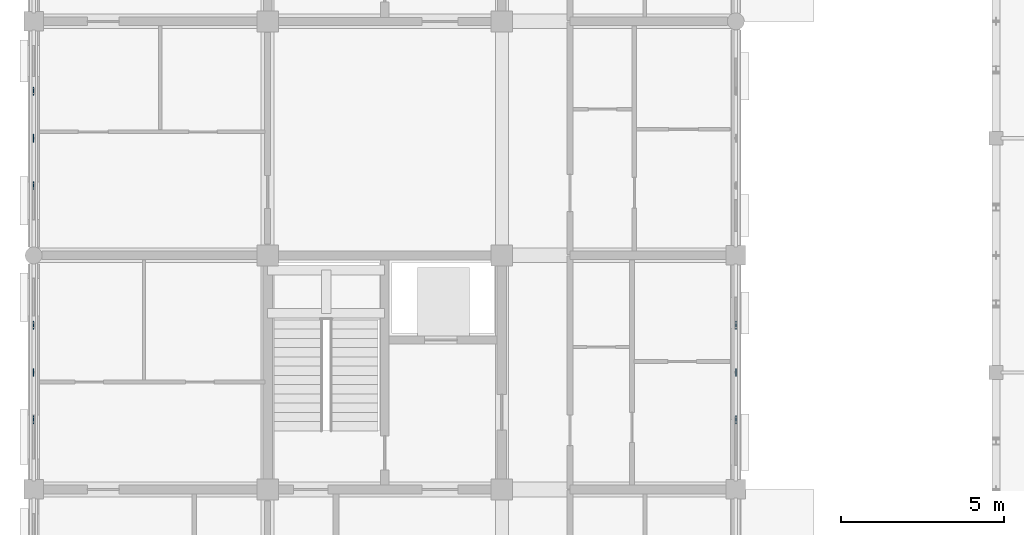
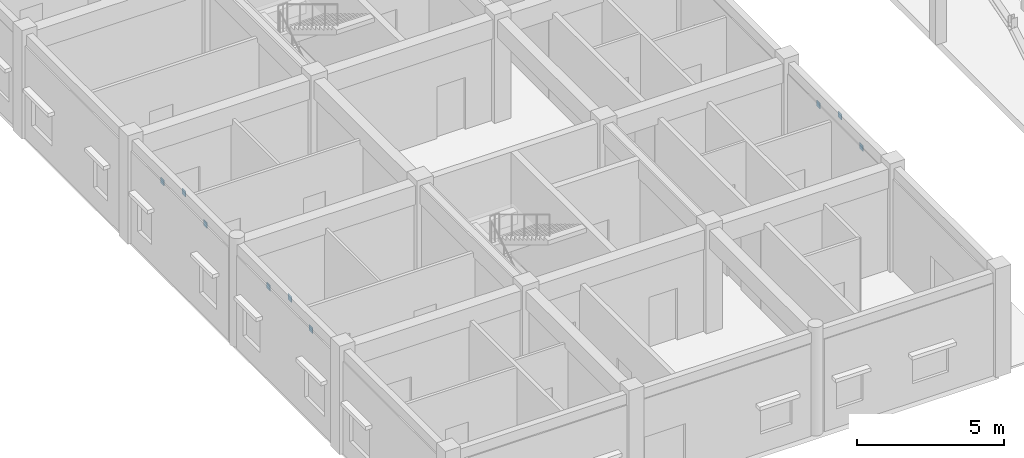
# One storey, part 76 of 138: 9 plates.
"""IFC4 building model written with IfcOpenShell, lengths in metres."""

from ifc_helpers import new_model, si_unit, direction, frame, origin, origin_2d, place, context, subcontext, project, spatial, rectangle, extrude, material, layer, layer_set, type_object, element, save


model = new_model("IFC4")

# Units and contexts
model_context = context("Model", 3, precision=1e-05, world=origin(), true_north=direction((0.0, 1.0)))
body_context = subcontext(model_context, "Body", "Model", "MODEL_VIEW")
ifc_project = project(units=[si_unit("LENGTHUNIT", "METRE"), si_unit("AREAUNIT", "SQUARE_METRE"), si_unit("VOLUMEUNIT", "CUBIC_METRE"), si_unit("PLANEANGLEUNIT", "RADIAN"), si_unit("MASSUNIT", "GRAM", prefix="KILO"), si_unit("THERMODYNAMICTEMPERATUREUNIT", "KELVIN"), si_unit("POWERUNIT", "WATT")], contexts=[model_context])

# Site, building, storey
site_placement = place(None, origin())
site = spatial("IfcSite", under=ifc_project, at=site_placement, CompositionType="ELEMENT")
building_placement = place(site_placement, origin())
building = spatial("IfcBuilding", under=site, at=building_placement, Name="Tavuni Mirador Residences", CompositionType="ELEMENT")
storey_placement = place(building_placement, origin())
storey = spatial("IfcBuildingStorey", under=building, at=storey_placement, Name="L00", CompositionType="ELEMENT", Elevation=0.0)

# Plates
ifc_material = material(Name="Structural steel S355", Category="steel")
ifc_layer = layer(ifc_material, 0.01806640625, Name="Structural steel S355", Category="steel")
ifc_layer_set = layer_set([ifc_layer], Name="Structural steel S355")
plate_type = type_object("IfcPlateType", Name="PLT-GP05", PredefinedType="USERDEFINED", material=ifc_layer_set)
for number, where, z_axis, x_axis, name in (
    (1, (3.60009765625, 74.14794921875, 3.509765625), (0.0, 0.0, 1.0), (1.0, 0.0, 0.0), "ARCH-BLKB-W-01-GQ1"),
    (2, (3.60009765625, 75.60009765625, 3.93017578125), (0.0, 0.0, 1.0), (1.0, 0.0, 0.0), "ARCH-BLKB-W-01-GCR"),
    (3, (3.60009765625, 77.052001953125, 3.509765625), (0.0, 0.0, 1.0), (1.0, 0.0, 0.0), "ARCH-BLKB-W-01-GQ2"),
    (4, (3.60009765625, 81.347900390625, 3.509765625), (0.0, 0.0, 1.0), (1.0, 0.0, 0.0), "ARCH-BLKB-W-02-GQ1"),
    (5, (3.60009765625, 82.800048828125, 3.93017578125), (0.0, 0.0, 1.0), (1.0, 0.0, 0.0), "ARCH-BLKB-W-02-GCR"),
    (6, (3.60009765625, 84.251953125, 3.509765625), (0.0, 0.0, 1.0), (1.0, 0.0, 0.0), "ARCH-BLKB-W-02-GQ2"),
    (7, (25.199951171875, 74.14794921875, 3.509765625), (0.0, 0.0, 1.0), (1.0, 0.0, 0.0), "ARCH-BLKB-E-01-GQ1"),
    (8, (25.199951171875, 75.60009765625, 3.93017578125), (0.0, 0.0, 1.0), (1.0, 0.0, 0.0), "ARCH-BLKB-E-01-GCR"),
    (9, (25.199951171875, 77.052001953125, 3.509765625), (0.0, 0.0, 1.0), (1.0, 0.0, 0.0), "ARCH-BLKB-E-01-GQ2"),
):
    element("IfcPlate", number, at=place(storey_placement, frame(where, z_axis=z_axis, x_axis=x_axis)), inside=storey, type_object=plate_type, Name=name, ObjectType="GUSSET PLATE", PredefinedType="USERDEFINED", context=body_context, shape_type="SweptSolid", body=[
        extrude(rectangle(XDim=0.02001953125, YDim=0.239990234375, at=origin_2d()), origin(), (0.0, 0.0, 1.0), 0.239990234375),
    ])

save(model, "model.ifc")
